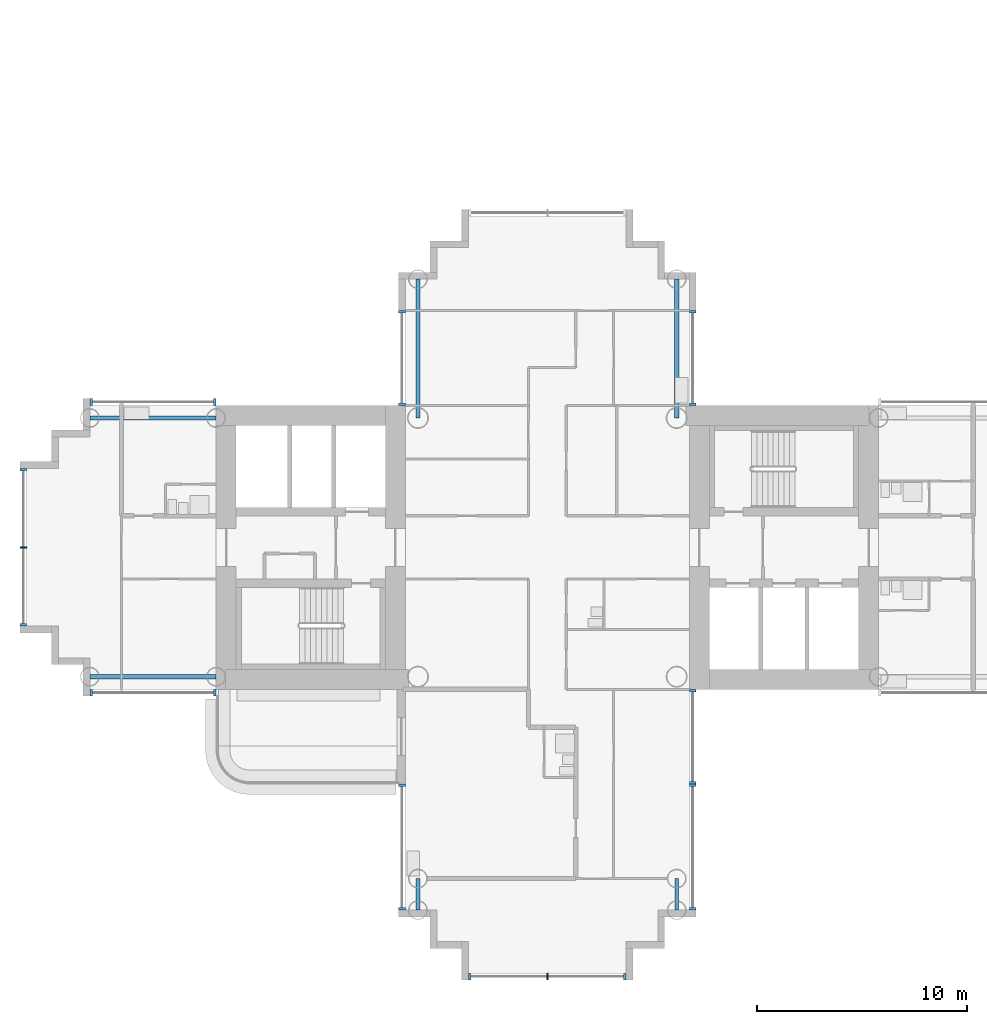
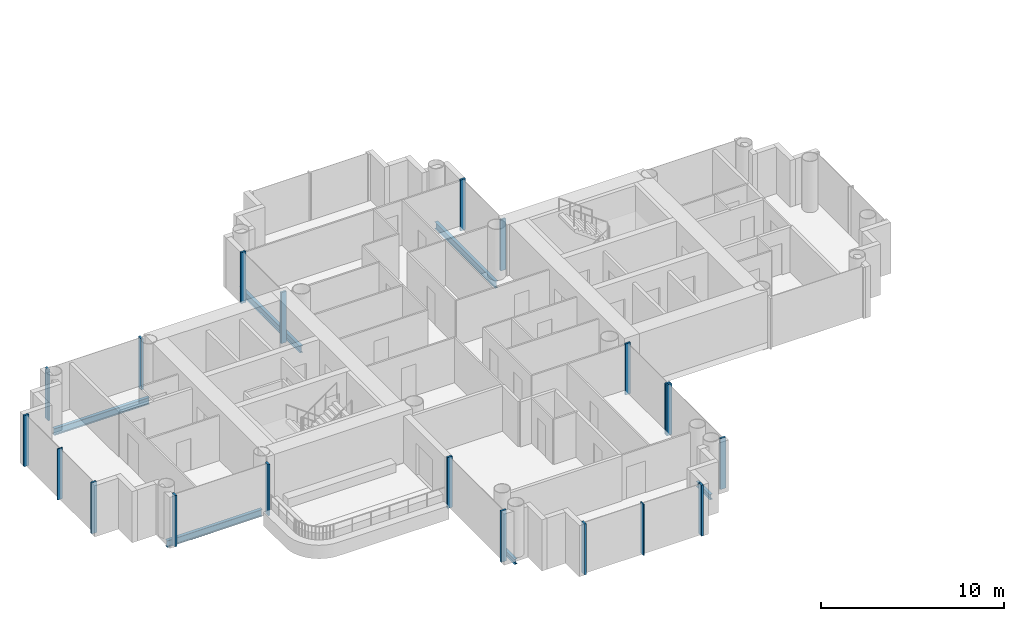
# One storey, part 3 of 21: 20 members, 6 beams, 9 elements without a shape of their own.
"""IFC4 building model written with IfcOpenShell, lengths in metres."""

from ifc_helpers import new_model, si_unit, direction, frame, origin, origin_2d, place, context, subcontext, project, spatial, rectangle, i_section, extrude, material, layer, layer_set, material_profile, profile_set, type_object, element, aggregate, save


model = new_model("IFC4")

# Units and contexts
model_context = context("Model", 3, precision=1e-05, world=origin(), true_north=direction((0.0, 1.0)))
body_context = subcontext(model_context, "Body", "Model", "MODEL_VIEW")
ifc_project = project(units=[si_unit("LENGTHUNIT", "METRE"), si_unit("AREAUNIT", "SQUARE_METRE"), si_unit("VOLUMEUNIT", "CUBIC_METRE"), si_unit("PLANEANGLEUNIT", "RADIAN"), si_unit("MASSUNIT", "GRAM", prefix="KILO")], contexts=[model_context])

# Site, building, storey
site_placement = place(None, origin())
site = spatial("IfcSite", under=ifc_project, at=site_placement, CompositionType="ELEMENT")
building_placement = place(site_placement, origin())
building = spatial("IfcBuilding", under=site, at=building_placement, Name="Ipe Terrace Towers", CompositionType="ELEMENT")
storey_placement = place(building_placement, frame((0.0, 0.0, 97.0)))
storey = spatial("IfcBuildingStorey", under=building, at=storey_placement, Name="L26", CompositionType="ELEMENT", Elevation=97.0)

# Beams
ifc_material_1 = material(Name="Steel S355", Category="steel")
ifc_material_profile_1 = material_profile(ifc_material_1, i_section(OverallWidth=0.175048828125, OverallDepth=0.35009765625, WebThickness=0.007080078125, FlangeThickness=0.010986328125, at=origin_2d()), Name="H-350x175x7x11")
ifc_profile_set_1 = profile_set([ifc_material_profile_1], Name="Steel S355")
beam_type_1 = type_object("IfcBeamType", Name="H04 EDGE BEAM H-350x175x7x11", PredefinedType="BEAM", material=ifc_profile_set_1)
for number, where, z_axis, x_axis, name in (
    (1, (-42.14990234375, -15.75, -0.574951171875), (0.0, -1.0, 0.0), (1.0, 0.0, 0.0), "Edge beam T1-EB-D03-D05"),
    (2, (-29.85009765625, -15.75, -0.574951171875), (0.0, -1.0, 0.0), (1.0, 0.0, 0.0), "Edge beam T1-EB-D04-D06"),
):
    element("IfcBeam", number, at=place(storey_placement, frame(where, z_axis=z_axis, x_axis=x_axis)), inside=storey, type_object=beam_type_1, Name=name, PredefinedType="BEAM", context=body_context, shape_type="SweptSolid", body=[
        extrude(i_section(OverallWidth=0.175048828125, OverallDepth=0.35009765625, WebThickness=0.007080078125, FlangeThickness=0.010986328125, at=origin_2d()), origin(), (0.0, 0.0, 1.0), 1.5),
    ])
ifc_material_2 = material(Name="Steel S355", Category="steel")
ifc_material_profile_2 = material_profile(ifc_material_2, i_section(OverallWidth=0.199951171875, OverallDepth=0.449951171875, WebThickness=0.009033203125, FlangeThickness=0.013916015625, at=origin_2d()), Name="H-450x200x9x14")
ifc_profile_set_2 = profile_set([ifc_material_profile_2], Name="Steel S355")
beam_type_2 = type_object("IfcBeamType", Name="H08 EDGE BEAM H-450x200x9x14", PredefinedType="BEAM", material=ifc_profile_set_2)
for number, where, z_axis, x_axis, name in (
    (3, (-29.85009765625, 12.75, -0.625), (0.0, -1.0, 0.0), (1.0, 0.0, 0.0), "Edge beam T1-EB-B01-E03"),
    (4, (-42.14990234375, 12.75, -0.625), (0.0, -1.0, 0.0), (1.0, 0.0, 0.0), "Edge beam T1-EB-B02-E04"),
):
    element("IfcBeam", number, at=place(storey_placement, frame(where, z_axis=z_axis, x_axis=x_axis)), inside=storey, type_object=beam_type_2, Name=name, PredefinedType="BEAM", context=body_context, shape_type="SweptSolid", body=[
        extrude(i_section(OverallWidth=0.199951171875, OverallDepth=0.449951171875, WebThickness=0.009033203125, FlangeThickness=0.013916015625, at=origin_2d()), origin(), (0.0, 0.0, 1.0), 6.60009765625),
    ])
for number, where, z_axis, x_axis, name in (
    (5, (-51.75, -6.14990234375, -0.625), (-1.0, 0.0, 0.0), (0.0, -1.0, 0.0), "Edge beam T1-EB-C01-C03"),
    (6, (-51.75, 6.14990234375, -0.625), (-1.0, 0.0, 0.0), (0.0, -1.0, 0.0), "Edge beam T1-EB-C02-C04"),
):
    element("IfcBeam", number, at=place(storey_placement, frame(where, z_axis=z_axis, x_axis=x_axis)), inside=storey, type_object=beam_type_2, Name=name, PredefinedType="BEAM", context=body_context, shape_type="SweptSolid", body=[
        extrude(i_section(OverallWidth=0.199951171875, OverallDepth=0.449951171875, WebThickness=0.009033203125, FlangeThickness=0.013916015625, at=origin_2d()), origin(), (0.0, 0.0, 1.0), 6.0),
    ])

# Curtain wall, members
ifc_material_3 = material(Name="Aluminium alloy 6063-T6", Category="aluminium")
ifc_layer = layer(ifc_material_3, 0.320068359375)
ifc_layer_set = layer_set([ifc_layer], Name="TOWER UNITISED CURTAIN WALL")
curtain_wall_type = type_object("IfcCurtainWallType", Name="TOWER UNITISED CURTAIN WALL", PredefinedType="NOTDEFINED", material=ifc_layer_set)
curtain_wall_1_placement = place(storey_placement, origin())
curtain_wall_1 = element("IfcCurtainWall", 7, at=curtain_wall_1_placement, inside=storey, type_object=curtain_wall_type, Name="T1-CW-L26-04a curtain wall", PredefinedType="NOTDEFINED")
ifc_material_4 = material(Name="Aluminium alloy 6063-T6", Category="aluminium")
ifc_material_profile_3 = material_profile(ifc_material_4, rectangle(XDim=0.320068359375, YDim=0.1201171875, at=origin_2d()), Name="TOWER UNITISED CORNER MULLION 320 x 120")
ifc_profile_set_3 = profile_set([ifc_material_profile_3], Name="Aluminium alloy 6063-T6")
member_type_1 = type_object("IfcMemberType", Name="TOWER UNITISED CORNER MULLION 320 x 120", PredefinedType="MULLION", material=ifc_profile_set_3)
member_1_placement = place(storey_placement, frame((-57.68994140625, -6.909912109375, -0.300048828125), z_axis=(0.0, 0.0, 1.0), x_axis=(0.0, -1.0, 0.0)))
member_1 = element("IfcMember", 8, at=member_1_placement, type_object=member_type_1, Name="T1-CW-L26-04a mullion 1", PredefinedType="MULLION", context=body_context, shape_type="SweptSolid", body=[
    extrude(rectangle(XDim=0.320068359375, YDim=0.1201171875, at=origin_2d()), origin(), (0.0, 0.0, 1.0), 3.400146484375),
])
member_2_placement = place(storey_placement, frame((-51.81103515625, -6.909912109375, -0.300048828125), z_axis=(0.0, 0.0, 1.0), x_axis=(0.0, -1.0, 0.0)))
member_2 = element("IfcMember", 9, at=member_2_placement, type_object=member_type_1, Name="T1-CW-L26-04a mullion 2", PredefinedType="MULLION", context=body_context, shape_type="SweptSolid", body=[
    extrude(rectangle(XDim=0.320068359375, YDim=0.1201171875, at=origin_2d()), origin(), (0.0, 0.0, 1.0), 3.400146484375),
])
aggregate(curtain_wall_1, [member_1, member_2])

curtain_wall_2_placement = place(storey_placement, origin())
curtain_wall_2 = element("IfcCurtainWall", 10, at=curtain_wall_2_placement, inside=storey, type_object=curtain_wall_type, Name="T1-CW-L26-07a curtain wall", PredefinedType="NOTDEFINED")
member_3_placement = place(storey_placement, frame((-42.909912109375, -11.31005859375, -0.300048828125), z_axis=(0.0, 0.0, 1.0), x_axis=(-1.0, 0.0, 0.0)))
member_3 = element("IfcMember", 11, at=member_3_placement, type_object=member_type_1, Name="T1-CW-L26-07a mullion 1", PredefinedType="MULLION", context=body_context, shape_type="SweptSolid", body=[
    extrude(rectangle(XDim=0.320068359375, YDim=0.1201171875, at=origin_2d()), origin(), (0.0, 0.0, 1.0), 3.400146484375),
])
member_4_placement = place(storey_placement, frame((-42.909912109375, -17.18994140625, -0.300048828125), z_axis=(0.0, 0.0, 1.0), x_axis=(-1.0, 0.0, 0.0)))
member_4 = element("IfcMember", 12, at=member_4_placement, type_object=member_type_1, Name="T1-CW-L26-07a mullion 2", PredefinedType="MULLION", context=body_context, shape_type="SweptSolid", body=[
    extrude(rectangle(XDim=0.320068359375, YDim=0.1201171875, at=origin_2d()), origin(), (0.0, 0.0, 1.0), 3.400146484375),
])
aggregate(curtain_wall_2, [member_3, member_4])

curtain_wall_3_placement = place(storey_placement, origin())
curtain_wall_3 = element("IfcCurtainWall", 13, at=curtain_wall_3_placement, inside=storey, type_object=curtain_wall_type, Name="T1-CW-L26-12a curtain wall", PredefinedType="NOTDEFINED")
member_5_placement = place(storey_placement, frame((-39.68994140625, -20.409912109375, -0.300048828125), z_axis=(0.0, 0.0, 1.0), x_axis=(0.0, -1.0, 0.0)))
member_5 = element("IfcMember", 14, at=member_5_placement, type_object=member_type_1, Name="T1-CW-L26-12a mullion 1", PredefinedType="MULLION", context=body_context, shape_type="SweptSolid", body=[
    extrude(rectangle(XDim=0.320068359375, YDim=0.1201171875, at=origin_2d()), origin(), (0.0, 0.0, 1.0), 3.400146484375),
])
member_6_placement = place(storey_placement, frame((-32.31005859375, -20.409912109375, -0.300048828125), z_axis=(0.0, 0.0, 1.0), x_axis=(0.0, -1.0, 0.0)))
member_6 = element("IfcMember", 15, at=member_6_placement, type_object=member_type_1, Name="T1-CW-L26-12a mullion 3", PredefinedType="MULLION", context=body_context, shape_type="SweptSolid", body=[
    extrude(rectangle(XDim=0.320068359375, YDim=0.1201171875, at=origin_2d()), origin(), (0.0, 0.0, 1.0), 3.400146484375),
])

curtain_wall_4_placement = place(storey_placement, origin())
curtain_wall_4 = element("IfcCurtainWall", 16, at=curtain_wall_4_placement, inside=storey, type_object=curtain_wall_type, Name="T1-CW-L26-17a curtain wall", PredefinedType="NOTDEFINED")
member_7_placement = place(storey_placement, frame((-29.090087890625, -17.18994140625, -0.300048828125), z_axis=(0.0, 0.0, 1.0), x_axis=(1.0, 0.0, 0.0)))
member_7 = element("IfcMember", 17, at=member_7_placement, type_object=member_type_1, Name="T1-CW-L26-17a mullion 1", PredefinedType="MULLION", context=body_context, shape_type="SweptSolid", body=[
    extrude(rectangle(XDim=0.320068359375, YDim=0.1201171875, at=origin_2d()), origin(), (0.0, 0.0, 1.0), 3.400146484375),
])
member_8_placement = place(storey_placement, frame((-29.090087890625, -11.31005859375, -0.300048828125), z_axis=(0.0, 0.0, 1.0), x_axis=(1.0, 0.0, 0.0)))
member_8 = element("IfcMember", 18, at=member_8_placement, type_object=member_type_1, Name="T1-CW-L26-17a mullion 2", PredefinedType="MULLION", context=body_context, shape_type="SweptSolid", body=[
    extrude(rectangle(XDim=0.320068359375, YDim=0.1201171875, at=origin_2d()), origin(), (0.0, 0.0, 1.0), 3.400146484375),
])
aggregate(curtain_wall_4, [member_7, member_8])

curtain_wall_5_placement = place(storey_placement, origin())
curtain_wall_5 = element("IfcCurtainWall", 19, at=curtain_wall_5_placement, inside=storey, type_object=curtain_wall_type, Name="T1-CW-L26-18a curtain wall", PredefinedType="NOTDEFINED")
member_9_placement = place(storey_placement, frame((-29.090087890625, -11.18994140625, -0.300048828125), z_axis=(0.0, 0.0, 1.0), x_axis=(1.0, 0.0, 0.0)))
member_9 = element("IfcMember", 20, at=member_9_placement, type_object=member_type_1, Name="T1-CW-L26-18a mullion 1", PredefinedType="MULLION", context=body_context, shape_type="SweptSolid", body=[
    extrude(rectangle(XDim=0.320068359375, YDim=0.1201171875, at=origin_2d()), origin(), (0.0, 0.0, 1.0), 3.400146484375),
])
member_10_placement = place(storey_placement, frame((-29.090087890625, -6.81005859375, -0.300048828125), z_axis=(0.0, 0.0, 1.0), x_axis=(1.0, 0.0, 0.0)))
member_10 = element("IfcMember", 21, at=member_10_placement, type_object=member_type_1, Name="T1-CW-L26-18a mullion 2", PredefinedType="MULLION", context=body_context, shape_type="SweptSolid", body=[
    extrude(rectangle(XDim=0.320068359375, YDim=0.1201171875, at=origin_2d()), origin(), (0.0, 0.0, 1.0), 3.400146484375),
])
aggregate(curtain_wall_5, [member_9, member_10])

curtain_wall_6_placement = place(storey_placement, origin())
curtain_wall_6 = element("IfcCurtainWall", 22, at=curtain_wall_6_placement, inside=storey, type_object=curtain_wall_type, Name="T1-CW-L26-32a curtain wall", PredefinedType="NOTDEFINED")
member_11_placement = place(storey_placement, frame((-29.090087890625, 6.81005859375, -0.300048828125), z_axis=(0.0, 0.0, 1.0), x_axis=(1.0, 0.0, 0.0)))
member_11 = element("IfcMember", 23, at=member_11_placement, type_object=member_type_1, Name="T1-CW-L26-32a mullion 1", PredefinedType="MULLION", context=body_context, shape_type="SweptSolid", body=[
    extrude(rectangle(XDim=0.320068359375, YDim=0.1201171875, at=origin_2d()), origin(), (0.0, 0.0, 1.0), 3.400146484375),
])
member_12_placement = place(storey_placement, frame((-29.090087890625, 11.18994140625, -0.300048828125), z_axis=(0.0, 0.0, 1.0), x_axis=(1.0, 0.0, 0.0)))
member_12 = element("IfcMember", 24, at=member_12_placement, type_object=member_type_1, Name="T1-CW-L26-32a mullion 2", PredefinedType="MULLION", context=body_context, shape_type="SweptSolid", body=[
    extrude(rectangle(XDim=0.320068359375, YDim=0.1201171875, at=origin_2d()), origin(), (0.0, 0.0, 1.0), 3.400146484375),
])
aggregate(curtain_wall_6, [member_11, member_12])

curtain_wall_7_placement = place(storey_placement, origin())
curtain_wall_7 = element("IfcCurtainWall", 25, at=curtain_wall_7_placement, inside=storey, type_object=curtain_wall_type, Name="T1-CW-L26-44a curtain wall", PredefinedType="NOTDEFINED")
member_13_placement = place(storey_placement, frame((-42.909912109375, 11.18994140625, -0.300048828125), z_axis=(0.0, 0.0, 1.0), x_axis=(-1.0, 0.0, 0.0)))
member_13 = element("IfcMember", 26, at=member_13_placement, type_object=member_type_1, Name="T1-CW-L26-44a mullion 1", PredefinedType="MULLION", context=body_context, shape_type="SweptSolid", body=[
    extrude(rectangle(XDim=0.320068359375, YDim=0.1201171875, at=origin_2d()), origin(), (0.0, 0.0, 1.0), 3.400146484375),
])
member_14_placement = place(storey_placement, frame((-42.909912109375, 6.81005859375, -0.300048828125), z_axis=(0.0, 0.0, 1.0), x_axis=(-1.0, 0.0, 0.0)))
member_14 = element("IfcMember", 27, at=member_14_placement, type_object=member_type_1, Name="T1-CW-L26-44a mullion 2", PredefinedType="MULLION", context=body_context, shape_type="SweptSolid", body=[
    extrude(rectangle(XDim=0.320068359375, YDim=0.1201171875, at=origin_2d()), origin(), (0.0, 0.0, 1.0), 3.400146484375),
])
aggregate(curtain_wall_7, [member_13, member_14])

curtain_wall_8_placement = place(storey_placement, origin())
curtain_wall_8 = element("IfcCurtainWall", 28, at=curtain_wall_8_placement, inside=storey, type_object=curtain_wall_type, Name="T1-CW-L26-46b curtain wall", PredefinedType="NOTDEFINED")
member_15_placement = place(storey_placement, frame((-51.81103515625, 6.909912109375, -0.300048828125), z_axis=(0.0, 0.0, 1.0), x_axis=(0.0, 1.0, 0.0)))
member_15 = element("IfcMember", 29, at=member_15_placement, type_object=member_type_1, Name="T1-CW-L26-46b mullion 1", PredefinedType="MULLION", context=body_context, shape_type="SweptSolid", body=[
    extrude(rectangle(XDim=0.320068359375, YDim=0.1201171875, at=origin_2d()), origin(), (0.0, 0.0, 1.0), 3.400146484375),
])
member_16_placement = place(storey_placement, frame((-57.68994140625, 6.909912109375, -0.300048828125), z_axis=(0.0, 0.0, 1.0), x_axis=(0.0, 1.0, 0.0)))
member_16 = element("IfcMember", 30, at=member_16_placement, type_object=member_type_1, Name="T1-CW-L26-46b mullion 2", PredefinedType="MULLION", context=body_context, shape_type="SweptSolid", body=[
    extrude(rectangle(XDim=0.320068359375, YDim=0.1201171875, at=origin_2d()), origin(), (0.0, 0.0, 1.0), 3.400146484375),
])
aggregate(curtain_wall_8, [member_15, member_16])

curtain_wall_9_placement = place(storey_placement, origin())
curtain_wall_9 = element("IfcCurtainWall", 31, at=curtain_wall_9_placement, inside=storey, type_object=curtain_wall_type, Name="T1-CW-L26-51a curtain wall", PredefinedType="NOTDEFINED")
member_17_placement = place(storey_placement, frame((-60.909912109375, 3.68994140625, -0.300048828125), z_axis=(0.0, 0.0, 1.0), x_axis=(-1.0, 0.0, 0.0)))
member_17 = element("IfcMember", 32, at=member_17_placement, type_object=member_type_1, Name="T1-CW-L26-51a mullion 1", PredefinedType="MULLION", context=body_context, shape_type="SweptSolid", body=[
    extrude(rectangle(XDim=0.320068359375, YDim=0.1201171875, at=origin_2d()), origin(), (0.0, 0.0, 1.0), 3.400146484375),
])
member_18_placement = place(storey_placement, frame((-60.909912109375, -3.68994140625, -0.300048828125), z_axis=(0.0, 0.0, 1.0), x_axis=(-1.0, 0.0, 0.0)))
member_18 = element("IfcMember", 33, at=member_18_placement, type_object=member_type_1, Name="T1-CW-L26-51a mullion 3", PredefinedType="MULLION", context=body_context, shape_type="SweptSolid", body=[
    extrude(rectangle(XDim=0.320068359375, YDim=0.1201171875, at=origin_2d()), origin(), (0.0, 0.0, 1.0), 3.400146484375),
])

# Member
ifc_material_5 = material(Name="Aluminium alloy 6063-T6", Category="aluminium")
ifc_material_profile_4 = material_profile(ifc_material_5, rectangle(XDim=0.320068359375, YDim=0.06494140625, at=origin_2d()), Name="TOWER UNITISED MULLION 320 x 65")
ifc_profile_set_4 = profile_set([ifc_material_profile_4], Name="Aluminium alloy 6063-T6")
member_type_2 = type_object("IfcMemberType", Name="TOWER UNITISED MULLION 320 x 65", PredefinedType="MULLION", material=ifc_profile_set_4)
member_19_placement = place(storey_placement, frame((-36.0, -20.409912109375, -0.300048828125), z_axis=(0.0, 0.0, 1.0), x_axis=(0.0, -1.0, 0.0)))
member_19 = element("IfcMember", 34, at=member_19_placement, type_object=member_type_2, Name="T1-CW-L26-12a mullion 2", PredefinedType="MULLION", context=body_context, shape_type="SweptSolid", body=[
    extrude(rectangle(XDim=0.320068359375, YDim=0.06494140625, at=origin_2d()), origin(), (0.0, 0.0, 1.0), 3.400146484375),
])

aggregate(curtain_wall_3, [member_5, member_19, member_6])

member_20_placement = place(storey_placement, frame((-60.909912109375, 0.0, -0.300048828125), z_axis=(0.0, 0.0, 1.0), x_axis=(-1.0, 0.0, 0.0)))
member_20 = element("IfcMember", 35, at=member_20_placement, type_object=member_type_2, Name="T1-CW-L26-51a mullion 2", PredefinedType="MULLION", context=body_context, shape_type="SweptSolid", body=[
    extrude(rectangle(XDim=0.320068359375, YDim=0.06494140625, at=origin_2d()), origin(), (0.0, 0.0, 1.0), 3.400146484375),
])

aggregate(curtain_wall_9, [member_17, member_20, member_18])

save(model, "model.ifc")
